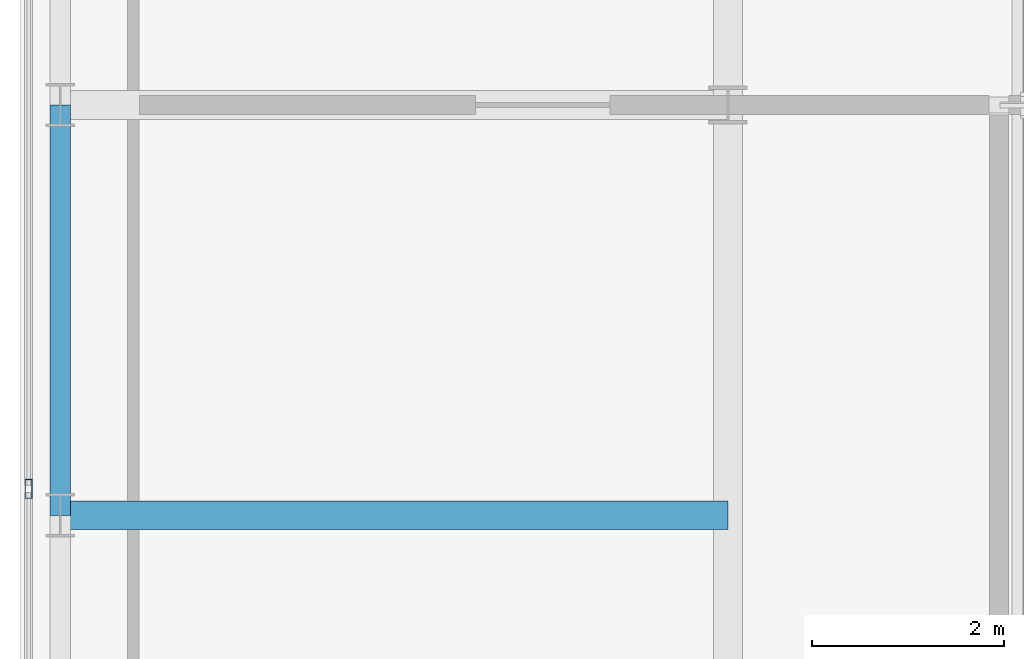
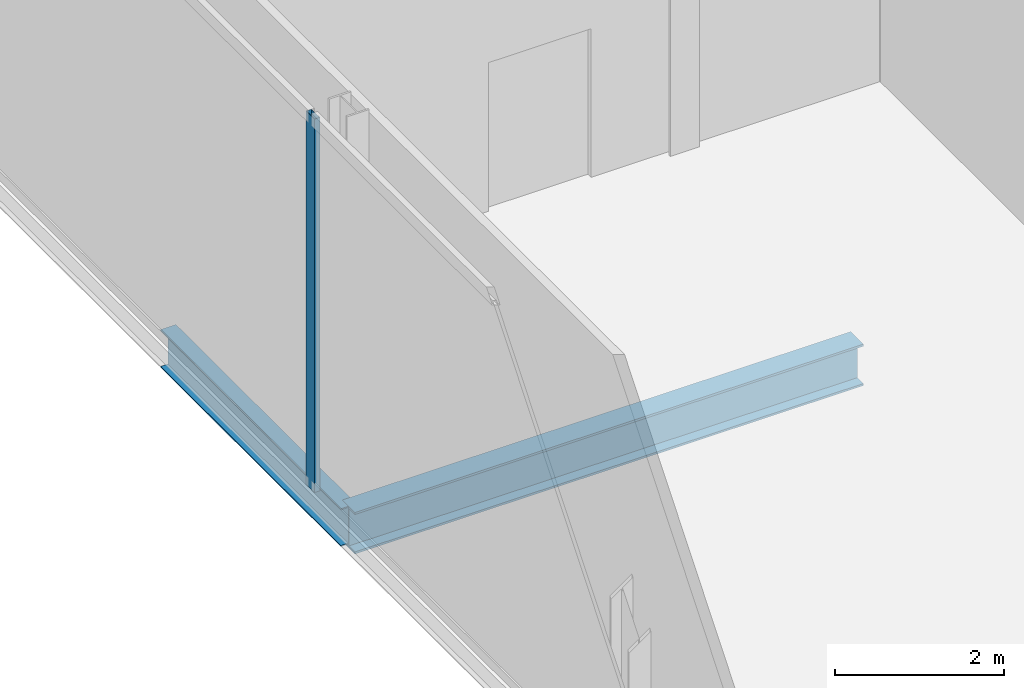
# One storey, part 10 of 26: 2 beams, 1 member, 1 element without a shape of its own.
"""IFC4 building model written with IfcOpenShell, lengths in metres."""

from ifc_helpers import new_model, si_unit, direction, frame, origin, origin_2d, place, context, subcontext, project, spatial, hollow_rectangle, i_section, extrude, material, material_profile, profile_set, type_object, element, aggregate, save


model = new_model("IFC4")

# Units and contexts
model_context = context("Model", 3, precision=1e-05, world=origin(), true_north=direction((0.0, 1.0)))
body_context = subcontext(model_context, "Body", "Model", "MODEL_VIEW")
ifc_project = project(units=[si_unit("LENGTHUNIT", "METRE"), si_unit("AREAUNIT", "SQUARE_METRE"), si_unit("VOLUMEUNIT", "CUBIC_METRE"), si_unit("PLANEANGLEUNIT", "RADIAN"), si_unit("MASSUNIT", "GRAM", prefix="KILO")], contexts=[model_context])

# Site, building, storey
site_placement = place(None, origin())
site = spatial("IfcSite", under=ifc_project, at=site_placement, CompositionType="ELEMENT")
building_placement = place(site_placement, origin())
building = spatial("IfcBuilding", under=site, at=building_placement, Name="Khoronbel Lancet Exchange", CompositionType="ELEMENT")
storey_placement = place(building_placement, frame((0.0, 0.0, 350.60009765625)))
storey = spatial("IfcBuildingStorey", under=building, at=storey_placement, Name="L91", CompositionType="ELEMENT", Elevation=350.60009765625)

# Beams
ifc_material_1 = material(Name="Steel S355", Category="steel")
ifc_material_profile_1 = material_profile(ifc_material_1, i_section(OverallWidth=0.300048828125, OverallDepth=0.60009765625, WebThickness=0.015380859375, FlangeThickness=0.030029296875, at=origin_2d()), Name="HEB 600")
ifc_profile_set_1 = profile_set([ifc_material_profile_1], Name="Steel S355")
beam_type_1 = type_object("IfcBeamType", Name="BM-BG5", PredefinedType="BEAM", material=ifc_profile_set_1)
beam_1_placement = place(storey_placement, frame((11.27001953125, 31.425048828125, -0.52001953125), z_axis=(1.0, 0.0, 0.0), x_axis=(0.0, 1.0, 0.0)))
element("IfcBeam", 1, at=beam_1_placement, inside=storey, type_object=beam_type_1, Name="Level L91 west lens tie girder LG2W", PredefinedType="BEAM", context=body_context, shape_type="SweptSolid", body=[
    extrude(i_section(OverallWidth=0.300048828125, OverallDepth=0.60009765625, WebThickness=0.015380859375, FlangeThickness=0.030029296875, at=origin_2d()), origin(), (0.0, 0.0, 1.0), 6.955078125),
])
ifc_material_profile_2 = material_profile(ifc_material_1, i_section(OverallWidth=0.2099609375, OverallDepth=0.550048828125, WebThickness=0.010986328125, FlangeThickness=0.01708984375, at=origin_2d()), Name="IPE 550")
ifc_profile_set_2 = profile_set([ifc_material_profile_2], Name="Steel S355")
beam_type_2 = type_object("IfcBeamType", Name="BM-BSP3", PredefinedType="SPANDREL", material=ifc_profile_set_2)
beam_2_placement = place(storey_placement, frame((11.27001953125, 35.699951171875, -0.4951171875), z_axis=(0.0, -1.0, 0.0), x_axis=(1.0, 0.0, 0.0)))
element("IfcBeam", 2, at=beam_2_placement, inside=storey, type_object=beam_type_2, Name="Level L91 perimeter spandrel beam SP16", PredefinedType="SPANDREL", context=body_context, shape_type="SweptSolid", body=[
    extrude(i_section(OverallWidth=0.2099609375, OverallDepth=0.550048828125, WebThickness=0.010986328125, FlangeThickness=0.01708984375, at=origin_2d()), origin(), (0.0, 0.0, 1.0), 4.27490234375),
])

# Curtain wall, member
ifc_material_2 = material(Name="Low-E Solar Control Insulating Glass", Category="glass")
curtain_wall_type = type_object("IfcCurtainWallType", Name="CW-6", PredefinedType="NOTDEFINED", material=ifc_material_2)
curtain_wall_placement = place(storey_placement, origin())
curtain_wall = element("IfcCurtainWall", 3, at=curtain_wall_placement, inside=storey, type_object=curtain_wall_type, Name="Unitised curtain wall CW-L91-E03", PredefinedType="NOTDEFINED")
ifc_material_3 = material(Name="Bronze-Anodised Aluminium 6063-T6", Category="aluminium")
ifc_material_profile_3 = material_profile(ifc_material_3, hollow_rectangle(XDim=0.074951171875, YDim=0.199951171875, WallThickness=0.0048828125, at=origin_2d()), Name="ALU MULLION 75x200")
ifc_profile_set_3 = profile_set([ifc_material_profile_3], Name="Bronze-Anodised Aluminium 6063-T6")
member_type = type_object("IfcMemberType", Name="MEM-CWM2", PredefinedType="MULLION", material=ifc_profile_set_3)
member_placement = place(storey_placement, frame((10.93994140625, 31.699951171875, 0.0), z_axis=(0.0, 0.0, 1.0), x_axis=(-1.0, 0.0, 0.0)))
member = element("IfcMember", 4, at=member_placement, type_object=member_type, Name="CW6 mullion 2", PredefinedType="MULLION", context=body_context, shape_type="SweptSolid", body=[
    extrude(hollow_rectangle(XDim=0.074951171875, YDim=0.199951171875, WallThickness=0.0048828125, at=origin_2d()), origin(), (0.0, 0.0, 1.0), 5.39990234375),
])
aggregate(curtain_wall, [member])

save(model, "model.ifc")
